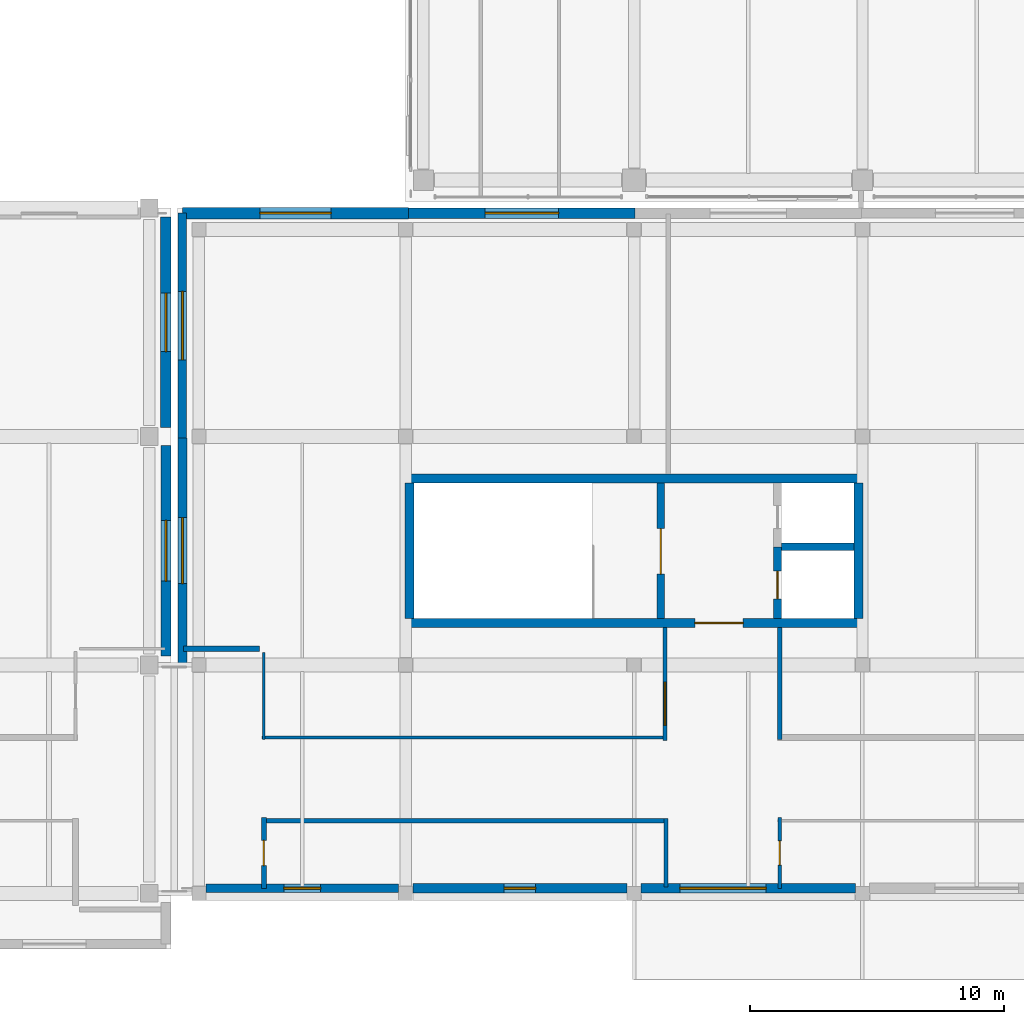
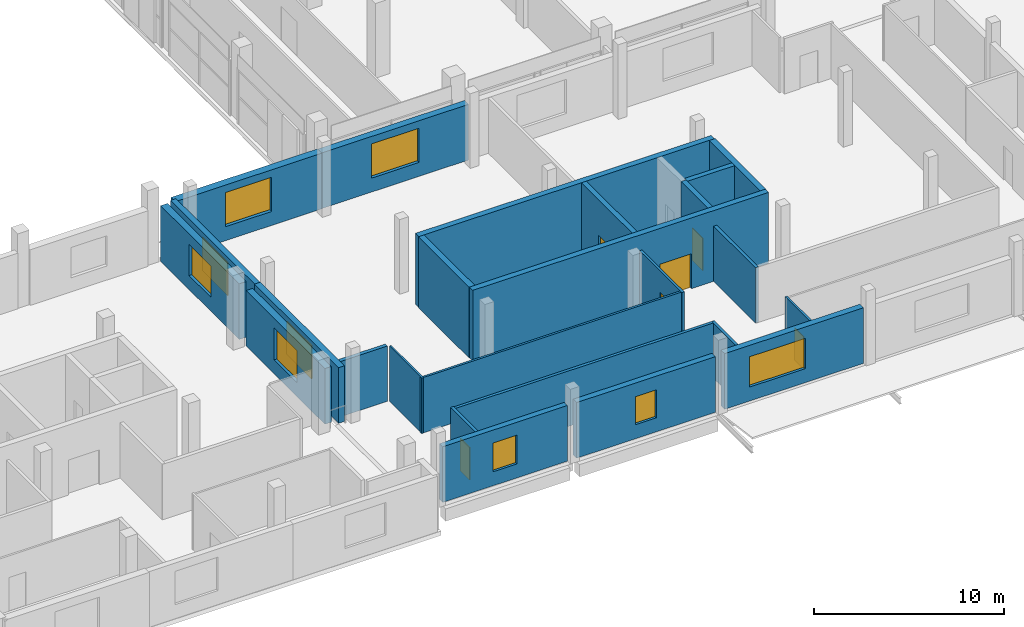
# One storey, part 75 of 111: 25 walls, 9 windows, 6 doors, 15 openings.
"""IFC4 building model written with IfcOpenShell, lengths in metres."""

from ifc_helpers import new_model, si_unit, direction, frame, frame_2d, origin, place, context, subcontext, project, spatial, rectangle, extrude, material, layer, layer_set, type_object, element, fill, save


model = new_model("IFC4")

# Units and contexts
model_context = context("Model", 3, precision=1e-05, world=origin(), true_north=direction((0.0, 1.0)))
body_context = subcontext(model_context, "Body", "Model", "MODEL_VIEW")
ifc_project = project(units=[si_unit("LENGTHUNIT", "METRE"), si_unit("AREAUNIT", "SQUARE_METRE"), si_unit("VOLUMEUNIT", "CUBIC_METRE"), si_unit("PLANEANGLEUNIT", "RADIAN"), si_unit("MASSUNIT", "GRAM", prefix="KILO"), si_unit("THERMODYNAMICTEMPERATUREUNIT", "KELVIN"), si_unit("POWERUNIT", "WATT")], contexts=[model_context])

# Site, building, storey
site_placement = place(None, origin())
site = spatial("IfcSite", under=ifc_project, at=site_placement, CompositionType="ELEMENT")
building_placement = place(site_placement, origin())
building = spatial("IfcBuilding", under=site, at=building_placement, Name="Sindhuravela Promenade Stadium", CompositionType="ELEMENT")
storey_placement = place(building_placement, frame((0.0, 0.0, 9.60009765625)))
storey = spatial("IfcBuildingStorey", under=building, at=storey_placement, Name="L02", CompositionType="ELEMENT", Elevation=9.60009765625)

# Wall, opening, window
ifc_material_1 = material(Name="Terracotta clay brick masonry (15 MPa)", Category="masonry")
ifc_layer_1 = layer(ifc_material_1, 0.340087890625)
ifc_layer_set_1 = layer_set([ifc_layer_1], Name="Terracotta clay brick masonry (15 MPa)")
wall_type_1 = type_object("IfcWallType", Name="EX-WL-BRK340", PredefinedType="SOLIDWALL", material=ifc_layer_set_1)
wall_1_placement = place(storey_placement, frame((162.199951171875, 26.933349609375, 0.0), z_axis=(0.0, 0.0, 1.0), x_axis=(0.0, 1.0, 0.0)))
wall_1 = element("IfcWall", 1, at=wall_1_placement, inside=storey, type_object=wall_type_1, Name="Exterior masonry wall EW06 Pavilion SE L02", PredefinedType="SOLIDWALL", context=body_context, shape_type="SweptSolid", body=[
    extrude(rectangle(XDim=8.86669921875, YDim=0.340087890625, at=frame_2d((4.433349609375, 0.0))), origin(), (0.0, 0.0, 1.0), 3.579833984375),
])
opening_1_placement = place(wall_1_placement, frame((3.083251953125, 0.0, 0.89990234375)))
opening_1 = element("IfcOpeningElement", 2, at=opening_1_placement, cuts=wall_1, Name="Opening W17", PredefinedType="OPENING", context=body_context, shape_type="SweptSolid", body=[
    extrude(rectangle(XDim=2.699951171875, YDim=2.14990234375, at=frame_2d((1.35009765625, 1.074951171875))), frame((0.0, 0.179931640625, 0.0), z_axis=(0.0, -1.0, 0.0), x_axis=(1.0, 0.0, 0.0)), (0.0, 0.0, 1.0), 0.360107421875),
])
ifc_material_2 = material(Name="Tempered laminated low-E glass", Category="glass")
window_type_1 = type_object("IfcWindowType", Name="WN-FAC-2700x2150", PartitioningType="DOUBLE_PANEL_VERTICAL", PredefinedType="WINDOW", material=ifc_material_2)
window_1_placement = place(opening_1_placement, origin())
window_1 = element("IfcWindow", 3, at=window_1_placement, inside=storey, type_object=window_type_1, Name="Window W17 Pavilion SE L02", OverallHeight=2.14990234375, OverallWidth=2.699951171875, PartitioningType="DOUBLE_PANEL_VERTICAL", PredefinedType="WINDOW", context=body_context, shape_type="SweptSolid", body=[
    extrude(rectangle(XDim=2.699951171875, YDim=2.14990234375, at=frame_2d((1.35009765625, 1.074951171875))), frame((0.0, 0.030029296875, 0.0), z_axis=(0.0, -1.0, 0.0), x_axis=(1.0, 0.0, 0.0)), (0.0, 0.0, 1.0), 0.06005859375),
])
fill(opening_1, window_1)

wall_2_placement = place(storey_placement, frame((170.719970703125, 9.199951171875, 0.0), z_axis=(0.0, 0.0, 1.0), x_axis=(-1.0, 0.0, 0.0)))
wall_2 = element("IfcWall", 4, at=wall_2_placement, inside=storey, type_object=wall_type_1, Name="Exterior masonry wall EW06 Pavilion SE L02", PredefinedType="SOLIDWALL", context=body_context, shape_type="SweptSolid", body=[
    extrude(rectangle(XDim=7.590087890625, YDim=0.340087890625, at=frame_2d((3.794921875, 0.0))), origin(), (0.0, 0.0, 1.0), 3.579833984375),
])
opening_2_placement = place(wall_2_placement, frame((3.070068359375, 0.0, 0.89990234375)))
opening_2 = element("IfcOpeningElement", 5, at=opening_2_placement, cuts=wall_2, Name="Opening W26", PredefinedType="OPENING", context=body_context, shape_type="SweptSolid", body=[
    extrude(rectangle(XDim=1.449951171875, YDim=1.85009765625, at=frame_2d((0.72509765625, 0.925048828125))), frame((0.0, 0.179931640625, 0.0), z_axis=(0.0, -1.0, 0.0), x_axis=(1.0, 0.0, 0.0)), (0.0, 0.0, 1.0), 0.360107421875),
])
window_type_2 = type_object("IfcWindowType", Name="WN-FAC-1450x1850", PartitioningType="SINGLE_PANEL", PredefinedType="WINDOW", material=ifc_material_2)
window_2_placement = place(opening_2_placement, origin())
window_2 = element("IfcWindow", 6, at=window_2_placement, inside=storey, type_object=window_type_2, Name="Window W26 Pavilion SE L02", OverallHeight=1.85009765625, OverallWidth=1.449951171875, PartitioningType="SINGLE_PANEL", PredefinedType="WINDOW", context=body_context, shape_type="SweptSolid", body=[
    extrude(rectangle(XDim=1.449951171875, YDim=1.85009765625, at=frame_2d((0.72509765625, 0.925048828125))), frame((0.0, 0.030029296875, 0.0), z_axis=(0.0, -1.0, 0.0), x_axis=(1.0, 0.0, 0.0)), (0.0, 0.0, 1.0), 0.06005859375),
])
fill(opening_2, window_2)

ifc_layer_2 = layer(ifc_material_1, 0.360107421875)
ifc_layer_set_2 = layer_set([ifc_layer_2], Name="Terracotta clay brick masonry (15 MPa)")
wall_type_2 = type_object("IfcWallType", Name="EX-WL-BRK360", PredefinedType="SOLIDWALL", material=ifc_layer_set_2)
wall_3_placement = place(storey_placement, frame((162.199951171875, 18.066650390625, 0.0), z_axis=(0.0, 0.0, 1.0), x_axis=(0.0, 1.0, 0.0)))
wall_3 = element("IfcWall", 7, at=wall_3_placement, inside=storey, type_object=wall_type_2, Name="Exterior masonry wall EW05 Pavilion SE L02", PredefinedType="SOLIDWALL", context=body_context, shape_type="SweptSolid", body=[
    extrude(rectangle(XDim=8.86669921875, YDim=0.360107421875, at=frame_2d((4.433349609375, 0.0))), origin(), (0.0, 0.0, 1.0), 3.579833984375),
])
opening_3_placement = place(wall_3_placement, frame((3.13330078125, 0.0, 0.89990234375)))
opening_3 = element("IfcOpeningElement", 8, at=opening_3_placement, cuts=wall_3, Name="Opening W16", PredefinedType="OPENING", context=body_context, shape_type="SweptSolid", body=[
    extrude(rectangle(XDim=2.60009765625, YDim=2.14990234375, at=frame_2d((1.300048828125, 1.074951171875))), frame((0.0, 0.18994140625, 0.0), z_axis=(0.0, -1.0, 0.0), x_axis=(1.0, 0.0, 0.0)), (0.0, 0.0, 1.0), 0.380126953125),
])
window_type_3 = type_object("IfcWindowType", Name="WN-FAC-2600x2150", PartitioningType="DOUBLE_PANEL_VERTICAL", PredefinedType="WINDOW", material=ifc_material_2)
window_3_placement = place(opening_3_placement, origin())
window_3 = element("IfcWindow", 9, at=window_3_placement, inside=storey, type_object=window_type_3, Name="Window W16 Pavilion SE L02", OverallHeight=2.14990234375, OverallWidth=2.60009765625, PartitioningType="DOUBLE_PANEL_VERTICAL", PredefinedType="WINDOW", context=body_context, shape_type="SweptSolid", body=[
    extrude(rectangle(XDim=2.60009765625, YDim=2.14990234375, at=frame_2d((1.300048828125, 1.074951171875))), frame((0.0, 0.030029296875, 0.0), z_axis=(0.0, -1.0, 0.0), x_axis=(1.0, 0.0, 0.0)), (0.0, 0.0, 1.0), 0.06005859375),
])
fill(opening_3, window_3)

wall_4_placement = place(storey_placement, frame((179.719970703125, 9.199951171875, 0.0), z_axis=(0.0, 0.0, 1.0), x_axis=(-1.0, 0.0, 0.0)))
wall_4 = element("IfcWall", 10, at=wall_4_placement, inside=storey, type_object=wall_type_2, Name="Exterior masonry wall EW05 Pavilion SE L02", PredefinedType="SOLIDWALL", context=body_context, shape_type="SweptSolid", body=[
    extrude(rectangle(XDim=8.43994140625, YDim=0.360107421875, at=frame_2d((4.219970703125, 0.0))), origin(), (0.0, 0.0, 1.0), 3.579833984375),
])
opening_4_placement = place(wall_4_placement, frame((3.594970703125, 0.0, 0.89990234375)))
opening_4 = element("IfcOpeningElement", 11, at=opening_4_placement, cuts=wall_4, Name="Opening W25", PredefinedType="OPENING", context=body_context, shape_type="SweptSolid", body=[
    extrude(rectangle(XDim=1.25, YDim=1.800048828125, at=frame_2d((0.625, 0.89990234375))), frame((0.0, 0.18994140625, 0.0), z_axis=(0.0, -1.0, 0.0), x_axis=(1.0, 0.0, 0.0)), (0.0, 0.0, 1.0), 0.380126953125),
])
window_type_4 = type_object("IfcWindowType", Name="WN-FAC-1250x1800", PartitioningType="SINGLE_PANEL", PredefinedType="WINDOW", material=ifc_material_2)
window_4_placement = place(opening_4_placement, origin())
window_4 = element("IfcWindow", 12, at=window_4_placement, inside=storey, type_object=window_type_4, Name="Window W25 Pavilion SE L02", OverallHeight=1.800048828125, OverallWidth=1.25, PartitioningType="SINGLE_PANEL", PredefinedType="WINDOW", context=body_context, shape_type="SweptSolid", body=[
    extrude(rectangle(XDim=1.25, YDim=1.800048828125, at=frame_2d((0.625, 0.89990234375))), frame((0.0, 0.030029296875, 0.0), z_axis=(0.0, -1.0, 0.0), x_axis=(1.0, 0.0, 0.0)), (0.0, 0.0, 1.0), 0.06005859375),
])
fill(opening_4, window_4)

ifc_layer_3 = layer(ifc_material_1, 0.3798828125)
ifc_layer_set_3 = layer_set([ifc_layer_3], Name="Terracotta clay brick masonry (15 MPa)")
wall_type_3 = type_object("IfcWallType", Name="EX-WL-BRK380", PredefinedType="SOLIDWALL", material=ifc_layer_set_3)
wall_5_placement = place(storey_placement, frame((188.719970703125, 9.199951171875, 0.0), z_axis=(0.0, 0.0, 1.0), x_axis=(-1.0, 0.0, 0.0)))
wall_5 = element("IfcWall", 13, at=wall_5_placement, inside=storey, type_object=wall_type_3, Name="Exterior masonry wall EW04 Pavilion SE L02", PredefinedType="SOLIDWALL", context=body_context, shape_type="SweptSolid", body=[
    extrude(rectangle(XDim=8.43994140625, YDim=0.3798828125, at=frame_2d((4.219970703125, 0.0))), origin(), (0.0, 0.0, 1.0), 3.579833984375),
])
opening_5_placement = place(wall_5_placement, frame((3.52001953125, 0.0, 0.89990234375)))
opening_5 = element("IfcOpeningElement", 14, at=opening_5_placement, cuts=wall_5, Name="Opening W24", PredefinedType="OPENING", context=body_context, shape_type="SweptSolid", body=[
    extrude(rectangle(XDim=3.39990234375, YDim=1.949951171875, at=frame_2d((1.699951171875, 0.97509765625))), frame((0.0, 0.199951171875, 0.0), z_axis=(0.0, -1.0, 0.0), x_axis=(1.0, 0.0, 0.0)), (0.0, 0.0, 1.0), 0.39990234375),
])
window_type_5 = type_object("IfcWindowType", Name="WN-FAC-3400x1950", PartitioningType="DOUBLE_PANEL_VERTICAL", PredefinedType="WINDOW", material=ifc_material_2)
window_5_placement = place(opening_5_placement, origin())
window_5 = element("IfcWindow", 15, at=window_5_placement, inside=storey, type_object=window_type_5, Name="Window W24 Pavilion SE L02", OverallHeight=1.949951171875, OverallWidth=3.39990234375, PartitioningType="DOUBLE_PANEL_VERTICAL", PredefinedType="WINDOW", context=body_context, shape_type="SweptSolid", body=[
    extrude(rectangle(XDim=3.39990234375, YDim=1.949951171875, at=frame_2d((1.699951171875, 0.97509765625))), frame((0.0, 0.030029296875, 0.0), z_axis=(0.0, -1.0, 0.0), x_axis=(1.0, 0.0, 0.0)), (0.0, 0.0, 1.0), 0.06005859375),
])
fill(opening_5, window_5)

ifc_layer_4 = layer(ifc_material_1, 0.39990234375)
ifc_layer_set_4 = layer_set([ifc_layer_4], Name="Terracotta clay brick masonry (15 MPa)")
wall_type_4 = type_object("IfcWallType", Name="EX-WL-BRK400", PredefinedType="SOLIDWALL", material=ifc_layer_set_4)
wall_6_placement = place(storey_placement, frame((161.550048828125, 26.64501953125, 0.0), z_axis=(0.0, 0.0, 1.0), x_axis=(0.0, -1.0, 0.0)))
wall_6 = element("IfcWall", 16, at=wall_6_placement, inside=storey, type_object=wall_type_4, Name="Exterior masonry wall EW03 SOUTH L02", PredefinedType="SOLIDWALL", context=body_context, shape_type="SweptSolid", body=[
    extrude(rectangle(XDim=8.2900390625, YDim=0.39990234375, at=frame_2d((4.14501953125, 0.0))), origin(), (0.0, 0.0, 1.0), 3.579833984375),
])
opening_6_placement = place(wall_6_placement, frame((2.945068359375, 0.0, 0.89990234375)))
opening_6 = element("IfcOpeningElement", 17, at=opening_6_placement, cuts=wall_6, Name="Opening W14", PredefinedType="OPENING", context=body_context, shape_type="SweptSolid", body=[
    extrude(rectangle(XDim=2.39990234375, YDim=2.050048828125, at=frame_2d((1.199951171875, 1.02490234375))), frame((0.0, 0.2099609375, 0.0), z_axis=(0.0, -1.0, 0.0), x_axis=(1.0, 0.0, 0.0)), (0.0, 0.0, 1.0), 0.419921875),
])
window_type_6 = type_object("IfcWindowType", Name="WN-FAC-2400x2050", PartitioningType="DOUBLE_PANEL_VERTICAL", PredefinedType="WINDOW", material=ifc_material_2)
window_6_placement = place(opening_6_placement, origin())
window_6 = element("IfcWindow", 18, at=window_6_placement, inside=storey, type_object=window_type_6, Name="Window W14 SOUTH L02", OverallHeight=2.050048828125, OverallWidth=2.39990234375, PartitioningType="DOUBLE_PANEL_VERTICAL", PredefinedType="WINDOW", context=body_context, shape_type="SweptSolid", body=[
    extrude(rectangle(XDim=2.39990234375, YDim=2.050048828125, at=frame_2d((1.199951171875, 1.02490234375))), frame((0.0, 0.030029296875, 0.0), z_axis=(0.0, -1.0, 0.0), x_axis=(1.0, 0.0, 0.0)), (0.0, 0.0, 1.0), 0.06005859375),
])
fill(opening_6, window_6)

ifc_layer_5 = layer(ifc_material_1, 0.419921875)
ifc_layer_set_5 = layer_set([ifc_layer_5], Name="Terracotta clay brick masonry (15 MPa)")
wall_type_5 = type_object("IfcWallType", Name="EX-WL-BRK420", PredefinedType="SOLIDWALL", material=ifc_layer_set_5)
wall_7_placement = place(storey_placement, frame((161.550048828125, 35.64501953125, 0.0), z_axis=(0.0, 0.0, 1.0), x_axis=(0.0, -1.0, 0.0)))
wall_7 = element("IfcWall", 19, at=wall_7_placement, inside=storey, type_object=wall_type_5, Name="Exterior masonry wall EW02 SOUTH L02", PredefinedType="SOLIDWALL", context=body_context, shape_type="SweptSolid", body=[
    extrude(rectangle(XDim=8.2900390625, YDim=0.419921875, at=frame_2d((4.14501953125, 0.0))), origin(), (0.0, 0.0, 1.0), 3.579833984375),
])
opening_7_placement = place(wall_7_placement, frame((2.9951171875, 0.0, 0.89990234375)))
opening_7 = element("IfcOpeningElement", 20, at=opening_7_placement, cuts=wall_7, Name="Opening W13", PredefinedType="OPENING", context=body_context, shape_type="SweptSolid", body=[
    extrude(rectangle(XDim=2.300048828125, YDim=2.0, at=frame_2d((1.14990234375, 1.0))), frame((0.0, 0.219970703125, 0.0), z_axis=(0.0, -1.0, 0.0), x_axis=(1.0, 0.0, 0.0)), (0.0, 0.0, 1.0), 0.43994140625),
])
window_type_7 = type_object("IfcWindowType", Name="WN-FAC-2300x2000", PartitioningType="DOUBLE_PANEL_VERTICAL", PredefinedType="WINDOW", material=ifc_material_2)
window_7_placement = place(opening_7_placement, origin())
window_7 = element("IfcWindow", 21, at=window_7_placement, inside=storey, type_object=window_type_7, Name="Window W13 SOUTH L02", OverallHeight=2.0, OverallWidth=2.300048828125, PartitioningType="DOUBLE_PANEL_VERTICAL", PredefinedType="WINDOW", context=body_context, shape_type="SweptSolid", body=[
    extrude(rectangle(XDim=2.300048828125, YDim=2.0, at=frame_2d((1.14990234375, 1.0))), frame((0.0, 0.030029296875, 0.0), z_axis=(0.0, -1.0, 0.0), x_axis=(1.0, 0.0, 0.0)), (0.0, 0.0, 1.0), 0.06005859375),
])
fill(opening_7, window_7)

wall_8_placement = place(storey_placement, frame((171.1201171875, 35.800048828125, 0.0), z_axis=(0.0, 0.0, 1.0), x_axis=(1.0, 0.0, 0.0)))
wall_8 = element("IfcWall", 22, at=wall_8_placement, inside=storey, type_object=wall_type_5, Name="Exterior masonry wall EW02 Pavilion SE L02", PredefinedType="SOLIDWALL", context=body_context, shape_type="SweptSolid", body=[
    extrude(rectangle(XDim=8.919921875, YDim=0.419921875, at=frame_2d((4.4599609375, 0.0))), origin(), (0.0, 0.0, 1.0), 3.579833984375),
])
opening_8_placement = place(wall_8_placement, frame((3.010009765625, 0.0, 0.89990234375)))
opening_8 = element("IfcOpeningElement", 23, at=opening_8_placement, cuts=wall_8, Name="Opening W19", PredefinedType="OPENING", context=body_context, shape_type="SweptSolid", body=[
    extrude(rectangle(XDim=2.89990234375, YDim=2.199951171875, at=frame_2d((1.449951171875, 1.10009765625))), frame((0.0, 0.219970703125, 0.0), z_axis=(0.0, -1.0, 0.0), x_axis=(1.0, 0.0, 0.0)), (0.0, 0.0, 1.0), 0.43994140625),
])
window_type_8 = type_object("IfcWindowType", Name="WN-FAC-2900x2200", PartitioningType="DOUBLE_PANEL_VERTICAL", PredefinedType="WINDOW", material=ifc_material_2)
window_8_placement = place(opening_8_placement, origin())
window_8 = element("IfcWindow", 24, at=window_8_placement, inside=storey, type_object=window_type_8, Name="Window W19 Pavilion SE L02", OverallHeight=2.199951171875, OverallWidth=2.89990234375, PartitioningType="DOUBLE_PANEL_VERTICAL", PredefinedType="WINDOW", context=body_context, shape_type="SweptSolid", body=[
    extrude(rectangle(XDim=2.89990234375, YDim=2.199951171875, at=frame_2d((1.449951171875, 1.10009765625))), frame((0.0, 0.030029296875, 0.0), z_axis=(0.0, -1.0, 0.0), x_axis=(1.0, 0.0, 0.0)), (0.0, 0.0, 1.0), 0.06005859375),
])
fill(opening_8, window_8)

ifc_layer_6 = layer(ifc_material_1, 0.4599609375)
ifc_layer_set_6 = layer_set([ifc_layer_6], Name="Terracotta clay brick masonry (15 MPa)")
wall_type_6 = type_object("IfcWallType", Name="EX-WL-BRK460", PredefinedType="SOLIDWALL", material=ifc_layer_set_6)
wall_9_placement = place(storey_placement, frame((162.199951171875, 35.800048828125, 0.0), z_axis=(0.0, 0.0, 1.0), x_axis=(1.0, 0.0, 0.0)))
wall_9 = element("IfcWall", 25, at=wall_9_placement, inside=storey, type_object=wall_type_6, Name="Exterior masonry wall EW01 Pavilion SE L02", PredefinedType="SOLIDWALL", context=body_context, shape_type="SweptSolid", body=[
    extrude(rectangle(XDim=8.920166015625, YDim=0.4599609375, at=frame_2d((4.4599609375, 0.0))), origin(), (0.0, 0.0, 1.0), 3.579833984375),
])
opening_9_placement = place(wall_9_placement, frame((3.06005859375, 0.0, 0.89990234375)))
opening_9 = element("IfcOpeningElement", 26, at=opening_9_placement, cuts=wall_9, Name="Opening W18", PredefinedType="OPENING", context=body_context, shape_type="SweptSolid", body=[
    extrude(rectangle(XDim=2.800048828125, YDim=2.199951171875, at=frame_2d((1.39990234375, 1.10009765625))), frame((0.0, 0.239990234375, 0.0), z_axis=(0.0, -1.0, 0.0), x_axis=(1.0, 0.0, 0.0)), (0.0, 0.0, 1.0), 0.47998046875),
])
window_type_9 = type_object("IfcWindowType", Name="WN-FAC-2800x2200", PartitioningType="DOUBLE_PANEL_VERTICAL", PredefinedType="WINDOW", material=ifc_material_2)
window_9_placement = place(opening_9_placement, origin())
window_9 = element("IfcWindow", 27, at=window_9_placement, inside=storey, type_object=window_type_9, Name="Window W18 Pavilion SE L02", OverallHeight=2.199951171875, OverallWidth=2.800048828125, PartitioningType="DOUBLE_PANEL_VERTICAL", PredefinedType="WINDOW", context=body_context, shape_type="SweptSolid", body=[
    extrude(rectangle(XDim=2.800048828125, YDim=2.199951171875, at=frame_2d((1.39990234375, 1.10009765625))), frame((0.0, 0.030029296875, 0.0), z_axis=(0.0, -1.0, 0.0), x_axis=(1.0, 0.0, 0.0)), (0.0, 0.0, 1.0), 0.06005859375),
])
fill(opening_9, window_9)

# Walls
ifc_material_3 = material(Name="Fire-rated gypsum partition board", Category="gypsum")
ifc_layer_7 = layer(ifc_material_3, 0.110107421875)
ifc_layer_set_7 = layer_set([ifc_layer_7], Name="Fire-rated gypsum partition board")
wall_type_7 = type_object("IfcWallType", Name="IN-WL-PAR110", PredefinedType="PARTITIONING", material=ifc_layer_set_7)
wall_10_placement = place(storey_placement, frame((165.409912109375, 15.06005859375, 0.0), z_axis=(0.0, 0.0, 1.0), x_axis=(0.0, 1.0, 0.0)))
element("IfcWall", 28, at=wall_10_placement, inside=storey, type_object=wall_type_7, Name="Interior partition IW06 Pavilion SE L02", PredefinedType="PARTITIONING", context=body_context, shape_type="SweptSolid", body=[
    extrude(rectangle(XDim=3.419921875, YDim=0.110107421875, at=frame_2d((1.7099609375, 0.0))), origin(), (0.0, 0.0, 1.0), 3.559814453125),
])
ifc_layer_8 = layer(ifc_material_3, 0.1298828125)
ifc_layer_set_8 = layer_set([ifc_layer_8], Name="Fire-rated gypsum partition board")
wall_type_8 = type_object("IfcWallType", Name="IN-WL-PAR130", PredefinedType="PARTITIONING", material=ifc_layer_set_8)
wall_11_placement = place(storey_placement, frame((181.300048828125, 15.139892578125, 0.0), z_axis=(0.0, 0.0, 1.0), x_axis=(-1.0, 0.0, 0.0)))
element("IfcWall", 29, at=wall_11_placement, inside=storey, type_object=wall_type_8, Name="Interior partition IW05 Pavilion SE L02", PredefinedType="PARTITIONING", context=body_context, shape_type="SweptSolid", body=[
    extrude(rectangle(XDim=15.969970703125, YDim=0.1298828125, at=frame_2d((7.98486328125, 0.0))), origin(), (0.0, 0.0, 1.0), 3.559814453125),
])

# Wall, opening, door
wall_12_placement = place(storey_placement, frame((185.739990234375, 11.97998046875, 0.0), z_axis=(0.0, 0.0, 1.0), x_axis=(0.0, -1.0, 0.0)))
wall_12 = element("IfcWall", 30, at=wall_12_placement, inside=storey, type_object=wall_type_8, Name="Corridor partition IW05 Pavilion Parkview Club Lounge SE 2", PredefinedType="PARTITIONING", context=body_context, shape_type="SweptSolid", body=[
    extrude(rectangle(XDim=2.780029296875, YDim=0.1298828125, at=frame_2d((1.39013671875, 0.0))), origin(), (0.0, 0.0, 1.0), 3.559814453125),
])
opening_10_placement = place(wall_12_placement, frame((0.9150390625, 0.0, 0.0)))
opening_10 = element("IfcOpeningElement", 31, at=opening_10_placement, cuts=wall_12, Name="Opening ID09", PredefinedType="OPENING", context=body_context, shape_type="SweptSolid", body=[
    extrude(rectangle(XDim=0.949951171875, YDim=2.10009765625, at=frame_2d((0.47509765625, 1.050048828125))), frame((0.0, 0.074951171875, 0.0), z_axis=(0.0, -1.0, 0.0), x_axis=(1.0, 0.0, 0.0)), (0.0, 0.0, 1.0), 0.14990234375),
])
ifc_material_4 = material(Name="Architectural teak timber leaf", Category="wood")
door_type_1 = type_object("IfcDoorType", Name="DR-INT-950x2100", OperationType="NOTDEFINED", PredefinedType="DOOR", material=ifc_material_4)
door_1_placement = place(opening_10_placement, origin())
door_1 = element("IfcDoor", 32, at=door_1_placement, inside=storey, type_object=door_type_1, Name="Pavilion Parkview Club Lounge SE 2 door", OperationType="SINGLE_SWING_RIGHT", OverallHeight=2.10009765625, OverallWidth=0.949951171875, PredefinedType="DOOR", context=body_context, shape_type="SweptSolid", body=[
    extrude(rectangle(XDim=0.949951171875, YDim=2.10009765625, at=frame_2d((0.47509765625, 1.050048828125))), frame((0.0, 0.02490234375, 0.0), z_axis=(0.0, -1.0, 0.0), x_axis=(1.0, 0.0, 0.0)), (0.0, 0.0, 1.0), 0.050048828125),
])
fill(opening_10, door_1)

ifc_layer_9 = layer(ifc_material_3, 0.14990234375)
ifc_layer_set_9 = layer_set([ifc_layer_9], Name="Fire-rated gypsum partition board")
wall_type_9 = type_object("IfcWallType", Name="IN-WL-PAR150", PredefinedType="PARTITIONING", material=ifc_layer_set_9)
wall_13_placement = place(storey_placement, frame((181.219970703125, 15.02001953125, 0.0), z_axis=(0.0, 0.0, 1.0), x_axis=(0.0, 1.0, 0.0)))
wall_13 = element("IfcWall", 33, at=wall_13_placement, inside=storey, type_object=wall_type_9, Name="Corridor partition IW04 Civic Exhibition Salon SE", PredefinedType="PARTITIONING", context=body_context, shape_type="SweptSolid", body=[
    extrude(rectangle(XDim=4.452880859375, YDim=0.14990234375, at=frame_2d((2.2265625, 0.0))), origin(), (0.0, 0.0, 1.0), 3.559814453125),
])
opening_11_placement = place(wall_13_placement, frame((0.601318359375, 0.0, 0.0)))
opening_11 = element("IfcOpeningElement", 34, at=opening_11_placement, cuts=wall_13, Name="Opening ID01", PredefinedType="OPENING", context=body_context, shape_type="SweptSolid", body=[
    extrude(rectangle(XDim=1.699951171875, YDim=2.199951171875, at=frame_2d((0.85009765625, 1.10009765625))), frame((0.0, 0.0849609375, 0.0), z_axis=(0.0, -1.0, 0.0), x_axis=(1.0, 0.0, 0.0)), (0.0, 0.0, 1.0), 0.169921875),
])
door_type_2 = type_object("IfcDoorType", Name="DR-INT-1700x2200", OperationType="DOUBLE_DOOR_SINGLE_SWING", PredefinedType="DOOR", material=ifc_material_4)
door_2_placement = place(opening_11_placement, origin())
door_2 = element("IfcDoor", 35, at=door_2_placement, inside=storey, type_object=door_type_2, Name="Civic Exhibition Salon SE door", OperationType="DOUBLE_DOOR_SINGLE_SWING", OverallHeight=2.199951171875, OverallWidth=1.699951171875, PredefinedType="DOOR", context=body_context, shape_type="SweptSolid", body=[
    extrude(rectangle(XDim=1.699951171875, YDim=2.199951171875, at=frame_2d((0.85009765625, 1.10009765625))), frame((0.0, 0.02490234375, 0.0), z_axis=(0.0, -1.0, 0.0), x_axis=(1.0, 0.0, 0.0)), (0.0, 0.0, 1.0), 0.050048828125),
])
fill(opening_11, door_2)

# Walls
wall_14_placement = place(storey_placement, frame((181.260009765625, 11.93994140625, 0.0), z_axis=(0.0, 0.0, 1.0), x_axis=(0.0, -1.0, 0.0)))
element("IfcWall", 36, at=wall_14_placement, inside=storey, type_object=wall_type_9, Name="Interior partition IW04 Pavilion SE L02", PredefinedType="PARTITIONING", context=body_context, shape_type="SweptSolid", body=[
    extrude(rectangle(XDim=2.699951171875, YDim=0.14990234375, at=frame_2d((1.35009765625, 0.0))), origin(), (0.0, 0.0, 1.0), 3.559814453125),
])
ifc_layer_10 = layer(ifc_material_3, 0.175048828125)
ifc_layer_set_10 = layer_set([ifc_layer_10], Name="Fire-rated gypsum partition board")
wall_type_10 = type_object("IfcWallType", Name="IN-WL-PAR175", PredefinedType="PARTITIONING", material=ifc_layer_set_10)
wall_15_placement = place(storey_placement, frame((165.330078125, 11.860107421875, 0.0), z_axis=(0.0, 0.0, 1.0), x_axis=(1.0, 0.0, 0.0)))
element("IfcWall", 37, at=wall_15_placement, inside=storey, type_object=wall_type_10, Name="Interior partition IW03 Pavilion SE L02", PredefinedType="PARTITIONING", context=body_context, shape_type="SweptSolid", body=[
    extrude(rectangle(XDim=16.010009765625, YDim=0.175048828125, at=frame_2d((8.0048828125, 0.0))), origin(), (0.0, 0.0, 1.0), 3.559814453125),
])
ifc_layer_11 = layer(ifc_material_3, 0.195068359375)
ifc_layer_set_11 = layer_set([ifc_layer_11], Name="Fire-rated gypsum partition board")
wall_type_11 = type_object("IfcWallType", Name="IN-WL-PAR195", PredefinedType="PARTITIONING", material=ifc_layer_set_11)
wall_16_placement = place(storey_placement, frame((185.739990234375, 15.06005859375, 0.0), z_axis=(0.0, 0.0, 1.0), x_axis=(0.0, 1.0, 0.0)))
element("IfcWall", 38, at=wall_16_placement, inside=storey, type_object=wall_type_11, Name="Interior partition IW02 Pavilion SE L02", PredefinedType="PARTITIONING", context=body_context, shape_type="SweptSolid", body=[
    extrude(rectangle(XDim=4.412841796875, YDim=0.195068359375, at=frame_2d((2.20654296875, 0.0))), origin(), (0.0, 0.0, 1.0), 3.559814453125),
])

# Wall, opening, door
wall_17_placement = place(storey_placement, frame((165.409912109375, 11.97998046875, 0.0), z_axis=(0.0, 0.0, 1.0), x_axis=(0.0, -1.0, 0.0)))
wall_17 = element("IfcWall", 39, at=wall_17_placement, inside=storey, type_object=wall_type_11, Name="Corridor partition IW02 Accessible WC SE L02", PredefinedType="PARTITIONING", context=body_context, shape_type="SweptSolid", body=[
    extrude(rectangle(XDim=2.780029296875, YDim=0.195068359375, at=frame_2d((1.39013671875, 0.0))), origin(), (0.0, 0.0, 1.0), 3.559814453125),
])
opening_12_placement = place(wall_17_placement, frame((0.889892578125, 0.0, 0.0)))
opening_12 = element("IfcOpeningElement", 40, at=opening_12_placement, cuts=wall_17, Name="Opening ID08", PredefinedType="OPENING", context=body_context, shape_type="SweptSolid", body=[
    extrude(rectangle(XDim=1.0, YDim=2.10009765625, at=frame_2d((0.5, 1.050048828125))), frame((0.0, 0.107421875, 0.0), z_axis=(0.0, -1.0, 0.0), x_axis=(1.0, 0.0, 0.0)), (0.0, 0.0, 1.0), 0.215087890625),
])
door_type_3 = type_object("IfcDoorType", Name="DR-INT-1000x2100", OperationType="NOTDEFINED", PredefinedType="DOOR", material=ifc_material_4)
door_3_placement = place(opening_12_placement, origin())
door_3 = element("IfcDoor", 41, at=door_3_placement, inside=storey, type_object=door_type_3, Name="Accessible WC SE L02 door", OperationType="SINGLE_SWING_LEFT", OverallHeight=2.10009765625, OverallWidth=1.0, PredefinedType="DOOR", context=body_context, shape_type="SweptSolid", body=[
    extrude(rectangle(XDim=1.0, YDim=2.10009765625, at=frame_2d((0.5, 1.050048828125))), frame((0.0, 0.02490234375, 0.0), z_axis=(0.0, -1.0, 0.0), x_axis=(1.0, 0.0, 0.0)), (0.0, 0.0, 1.0), 0.050048828125),
])
fill(opening_12, door_3)

# Wall
ifc_layer_12 = layer(ifc_material_3, 0.219970703125)
ifc_layer_set_12 = layer_set([ifc_layer_12], Name="Fire-rated gypsum partition board")
wall_type_12 = type_object("IfcWallType", Name="IN-WL-PAR220", PredefinedType="PARTITIONING", material=ifc_layer_set_12)
wall_18_placement = place(storey_placement, frame((165.25, 18.639892578125, 0.0), z_axis=(0.0, 0.0, 1.0), x_axis=(-1.0, 0.0, 0.0)))
element("IfcWall", 42, at=wall_18_placement, inside=storey, type_object=wall_type_12, Name="Interior partition IW01 Pavilion SE L02", PredefinedType="PARTITIONING", context=body_context, shape_type="SweptSolid", body=[
    extrude(rectangle(XDim=3.010009765625, YDim=0.219970703125, at=frame_2d((1.5048828125, 0.0))), origin(), (0.0, 0.0, 1.0), 3.559814453125),
])

# Wall, opening, door
ifc_material_5 = material(Name="Concrete M50", Category="concrete")
ifc_layer_13 = layer(ifc_material_5, 0.300048828125)
ifc_layer_set_13 = layer_set([ifc_layer_13], Name="Concrete M50")
wall_type_13 = type_object("IfcWallType", Name="RC-SW-300", PredefinedType="SHEAR", material=ifc_layer_set_13)
wall_19_placement = place(storey_placement, frame((181.050048828125, 19.824951171875, 0.0), z_axis=(0.0, 0.0, 1.0), x_axis=(0.0, 1.0, 0.0)))
wall_19 = element("IfcWall", 43, at=wall_19_placement, inside=storey, type_object=wall_type_13, Name="Core shear wall C14-ST (L02)", PredefinedType="SHEAR", context=body_context, shape_type="SweptSolid", body=[
    extrude(rectangle(XDim=5.35009765625, YDim=0.300048828125, at=frame_2d((2.675048828125, 0.0))), origin(), (0.0, 0.0, 1.0), 4.554931640625),
])
opening_13_placement = place(wall_19_placement, frame((1.75, 0.0, 0.0)))
opening_13 = element("IfcOpeningElement", 44, at=opening_13_placement, cuts=wall_19, Name="Opening FD01", PredefinedType="OPENING", context=body_context, shape_type="SweptSolid", body=[
    extrude(rectangle(XDim=1.800048828125, YDim=2.25, at=frame_2d((0.89990234375, 1.125))), frame((0.0, 0.159912109375, 0.0), z_axis=(0.0, -1.0, 0.0), x_axis=(1.0, 0.0, 0.0)), (0.0, 0.0, 1.0), 0.320068359375),
])
ifc_material_6 = material(Name="Architectural wrought steel E350", Category="steel")
door_type_4 = type_object("IfcDoorType", Name="DR-CORE-1800x2250", OperationType="DOUBLE_DOOR_SINGLE_SWING", PredefinedType="DOOR", material=ifc_material_6)
door_4_placement = place(opening_13_placement, origin())
door_4 = element("IfcDoor", 45, at=door_4_placement, inside=storey, type_object=door_type_4, Name="Stair GS02 lobby fire door (L02)", OperationType="DOUBLE_DOOR_SINGLE_SWING", OverallHeight=2.25, OverallWidth=1.800048828125, PredefinedType="DOOR", context=body_context, shape_type="SweptSolid", body=[
    extrude(rectangle(XDim=1.800048828125, YDim=2.25, at=frame_2d((0.89990234375, 1.125))), frame((0.0, 0.02490234375, 0.0), z_axis=(0.0, -1.0, 0.0), x_axis=(1.0, 0.0, 0.0)), (0.0, 0.0, 1.0), 0.050048828125),
])
fill(opening_13, door_4)

wall_20_placement = place(storey_placement, frame((185.64990234375, 19.824951171875, 0.0), z_axis=(0.0, 0.0, 1.0), x_axis=(0.0, 1.0, 0.0)))
wall_20 = element("IfcWall", 46, at=wall_20_placement, inside=storey, type_object=wall_type_13, Name="Core shear wall C14-LFT (L02)", PredefinedType="SHEAR", context=body_context, shape_type="SweptSolid", body=[
    extrude(rectangle(XDim=2.824951171875, YDim=0.300048828125, at=frame_2d((1.41259765625, 0.0))), origin(), (0.0, 0.0, 1.0), 4.554931640625),
])
opening_14_placement = place(wall_20_placement, frame((0.77490234375, 0.0, 0.0)))
opening_14 = element("IfcOpeningElement", 47, at=opening_14_placement, cuts=wall_20, Name="Opening LD", PredefinedType="OPENING", context=body_context, shape_type="SweptSolid", body=[
    extrude(rectangle(XDim=1.10009765625, YDim=2.10009765625, at=frame_2d((0.550048828125, 1.050048828125))), frame((0.0, 0.159912109375, 0.0), z_axis=(0.0, -1.0, 0.0), x_axis=(1.0, 0.0, 0.0)), (0.0, 0.0, 1.0), 0.320068359375),
])
door_type_5 = type_object("IfcDoorType", Name="DR-LFT-1100x2100", OperationType="DOUBLE_DOOR_SLIDING", PredefinedType="DOOR", material=ifc_material_6)
door_5_placement = place(opening_14_placement, origin())
door_5 = element("IfcDoor", 48, at=door_5_placement, inside=storey, type_object=door_type_5, Name="Lift PL06 landing door (L02)", OperationType="DOUBLE_DOOR_SLIDING", OverallHeight=2.10009765625, OverallWidth=1.10009765625, PredefinedType="DOOR", context=body_context, shape_type="SweptSolid", body=[
    extrude(rectangle(XDim=1.10009765625, YDim=2.10009765625, at=frame_2d((0.550048828125, 1.050048828125))), frame((0.0, 0.02490234375, 0.0), z_axis=(0.0, -1.0, 0.0), x_axis=(1.0, 0.0, 0.0)), (0.0, 0.0, 1.0), 0.050048828125),
])
fill(opening_14, door_5)

# Wall
wall_21_placement = place(storey_placement, frame((185.800048828125, 22.64990234375, 0.0), z_axis=(0.0, 0.0, 1.0), x_axis=(1.0, 0.0, 0.0)))
element("IfcWall", 49, at=wall_21_placement, inside=storey, type_object=wall_type_13, Name="Core shear wall C14-DIV (L02)", PredefinedType="SHEAR", context=body_context, shape_type="SweptSolid", body=[
    extrude(rectangle(XDim=2.875, YDim=0.300048828125, at=frame_2d((1.4375, 0.0))), origin(), (0.0, 0.0, 1.0), 4.554931640625),
])

# Wall, opening, door
ifc_layer_14 = layer(ifc_material_5, 0.35009765625)
ifc_layer_set_14 = layer_set([ifc_layer_14], Name="Concrete M50")
wall_type_14 = type_object("IfcWallType", Name="RC-SW-350", PredefinedType="SHEAR", material=ifc_layer_set_14)
wall_22_placement = place(storey_placement, frame((171.0, 19.64990234375, 0.0), z_axis=(0.0, 0.0, 1.0), x_axis=(1.0, 0.0, 0.0)))
wall_22 = element("IfcWall", 50, at=wall_22_placement, inside=storey, type_object=wall_type_14, Name="Core shear wall C14-S (L02)", PredefinedType="SHEAR", context=body_context, shape_type="SweptSolid", body=[
    extrude(rectangle(XDim=18.0, YDim=0.35009765625, at=frame_2d((9.0, 0.0))), origin(), (0.0, 0.0, 1.0), 4.554931640625),
])
opening_15_placement = place(wall_22_placement, frame((11.39990234375, 0.0, 0.0)))
opening_15 = element("IfcOpeningElement", 51, at=opening_15_placement, cuts=wall_22, Name="Opening FD02", PredefinedType="OPENING", context=body_context, shape_type="SweptSolid", body=[
    extrude(rectangle(XDim=1.89990234375, YDim=2.25, at=frame_2d((0.949951171875, 1.125))), frame((0.0, 0.18505859375, 0.0), z_axis=(0.0, -1.0, 0.0), x_axis=(1.0, 0.0, 0.0)), (0.0, 0.0, 1.0), 0.3701171875),
])
door_type_6 = type_object("IfcDoorType", Name="DR-LOB-1900x2250", OperationType="DOUBLE_DOOR_SINGLE_SWING", PredefinedType="DOOR", material=ifc_material_6)
door_6_placement = place(opening_15_placement, origin())
door_6 = element("IfcDoor", 52, at=door_6_placement, inside=storey, type_object=door_type_6, Name="Protected lobby entrance door C14 (L02)", OperationType="DOUBLE_DOOR_SINGLE_SWING", OverallHeight=2.25, OverallWidth=1.89990234375, PredefinedType="DOOR", context=body_context, shape_type="SweptSolid", body=[
    extrude(rectangle(XDim=1.89990234375, YDim=2.25, at=frame_2d((0.949951171875, 1.125))), frame((0.0, 0.02490234375, 0.0), z_axis=(0.0, -1.0, 0.0), x_axis=(1.0, 0.0, 0.0)), (0.0, 0.0, 1.0), 0.050048828125),
])
fill(opening_15, door_6)

# Walls
wall_23_placement = place(storey_placement, frame((189.0, 25.35009765625, 0.0), z_axis=(0.0, 0.0, 1.0), x_axis=(-1.0, 0.0, 0.0)))
element("IfcWall", 53, at=wall_23_placement, inside=storey, type_object=wall_type_14, Name="Core shear wall C14-N (L02)", PredefinedType="SHEAR", context=body_context, shape_type="SweptSolid", body=[
    extrude(rectangle(XDim=18.0, YDim=0.35009765625, at=frame_2d((9.0, 0.0))), origin(), (0.0, 0.0, 1.0), 4.554931640625),
])
for number, where, z_axis, x_axis, name in (
    (54, (171.14990234375, 25.175048828125, 0.0), (0.0, 0.0, 1.0), (0.0, -1.0, 0.0), "Core shear wall C14-W (L02)"),
    (55, (188.85009765625, 19.824951171875, 0.0), (0.0, 0.0, 1.0), (0.0, 1.0, 0.0), "Core shear wall C14-E (L02)"),
):
    element("IfcWall", number, at=place(storey_placement, frame(where, z_axis=z_axis, x_axis=x_axis)), inside=storey, type_object=wall_type_14, Name=name, PredefinedType="SHEAR", context=body_context, shape_type="SweptSolid", body=[
        extrude(rectangle(XDim=5.35009765625, YDim=0.35009765625, at=frame_2d((2.675048828125, 0.0))), origin(), (0.0, 0.0, 1.0), 4.554931640625),
    ])

save(model, "model.ifc")
